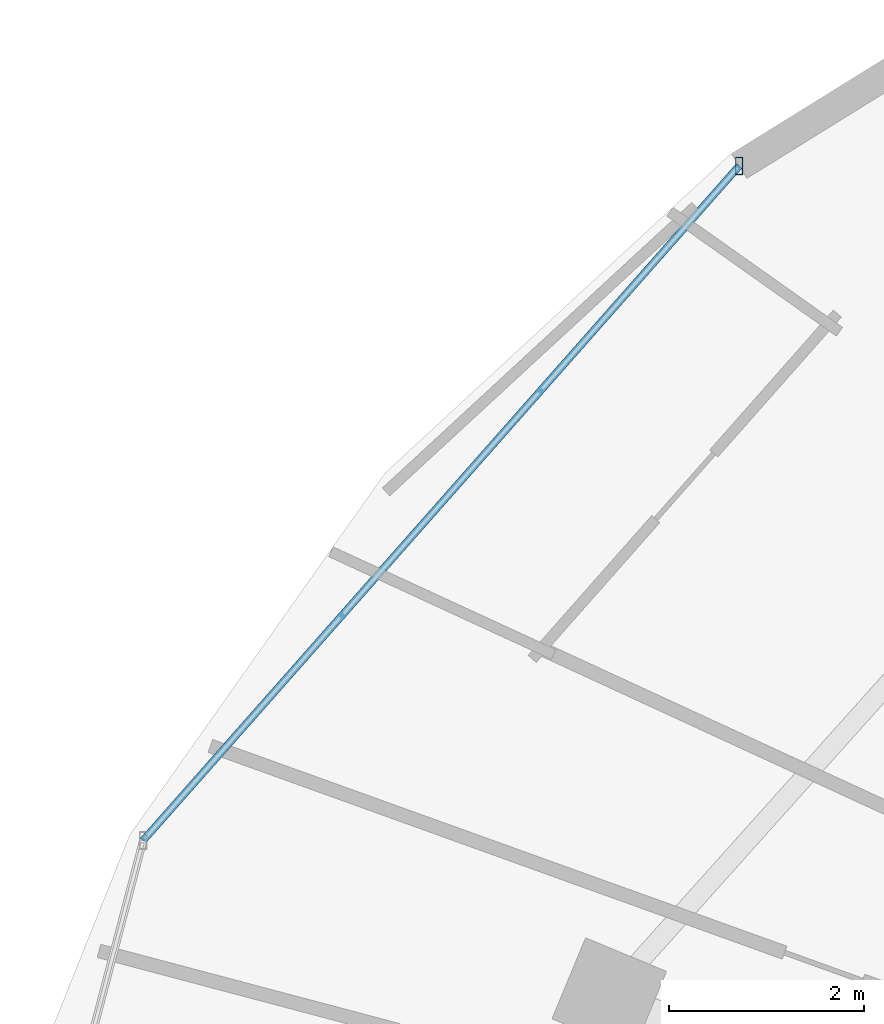
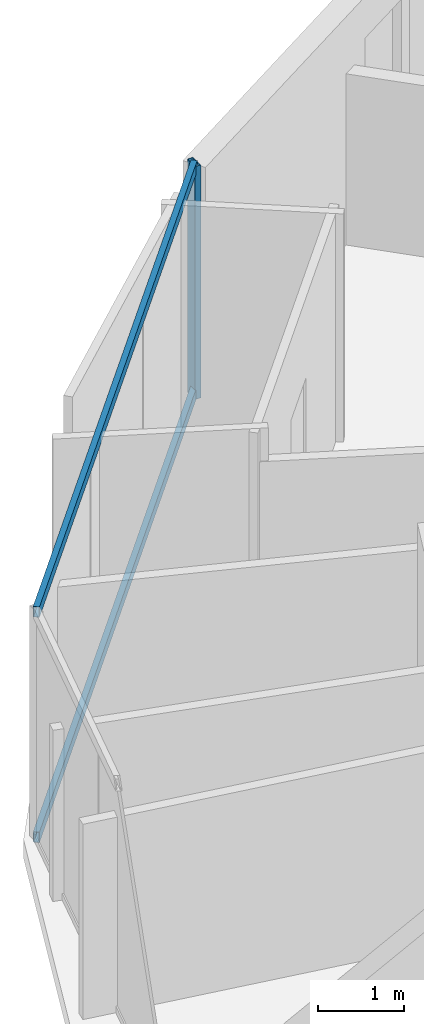
# One storey, part 16 of 33: 3 members, 1 element without a shape of its own.
"""IFC4 building model written with IfcOpenShell, lengths in metres."""

from ifc_helpers import new_model, si_unit, direction, frame, origin, origin_2d, place, context, subcontext, project, spatial, hollow_rectangle, extrude, material, material_profile, profile_set, type_object, element, aggregate, save


model = new_model("IFC4")

# Units and contexts
model_context = context("Model", 3, precision=1e-05, world=origin(), true_north=direction((0.0, 1.0)))
body_context = subcontext(model_context, "Body", "Model", "MODEL_VIEW")
ifc_project = project(units=[si_unit("LENGTHUNIT", "METRE"), si_unit("AREAUNIT", "SQUARE_METRE"), si_unit("VOLUMEUNIT", "CUBIC_METRE"), si_unit("PLANEANGLEUNIT", "RADIAN"), si_unit("MASSUNIT", "GRAM", prefix="KILO")], contexts=[model_context])

# Site, building, storey
site_placement = place(None, origin())
site = spatial("IfcSite", under=ifc_project, at=site_placement, CompositionType="ELEMENT")
building_placement = place(site_placement, origin())
building = spatial("IfcBuilding", under=site, at=building_placement, Name="Vorneva Point Tower", CompositionType="ELEMENT")
storey_placement = place(building_placement, frame((0.0, 0.0, 179.10009765625)))
storey = spatial("IfcBuildingStorey", under=building, at=storey_placement, Name="L48", CompositionType="ELEMENT", Elevation=179.10009765625)

# Curtain wall, members
ifc_material = material(Name="Pale anodised aluminium", Category="aluminium")
curtain_wall_type = type_object("IfcCurtainWallType", Name="CW-RES-SYS", PredefinedType="NOTDEFINED", material=ifc_material)
curtain_wall_placement = place(storey_placement, origin())
curtain_wall = element("IfcCurtainWall", 1, at=curtain_wall_placement, inside=storey, type_object=curtain_wall_type, Name="L48 Unitised Curtain Wall CW-L48-R02", PredefinedType="NOTDEFINED")
ifc_material_profile_1 = material_profile(ifc_material, hollow_rectangle(XDim=0.074951171875, YDim=0.179931640625, WallThickness=0.00390625, at=origin_2d()), Name="AL-MUL 180x75x4")
ifc_profile_set_1 = profile_set([ifc_material_profile_1], Name="Pale anodised aluminium")
member_type_1 = type_object("IfcMemberType", Name="CW-MUL-180", PredefinedType="MULLION", material=ifc_profile_set_1)
member_1_placement = place(storey_placement, frame((18.038330078125, 41.0966796875, -0.0400390625), z_axis=(0.0, 0.0, 1.0), x_axis=(1.0, 0.0, 0.0)))
member_1 = element("IfcMember", 2, at=member_1_placement, type_object=member_type_1, Name="CW-L48-R02 Mullion 01", PredefinedType="MULLION", context=body_context, shape_type="SweptSolid", body=[
    extrude(hollow_rectangle(XDim=0.074951171875, YDim=0.179931640625, WallThickness=0.00390625, at=origin_2d()), origin(), (0.0, 0.0, 1.0), 3.31005859375),
])
ifc_material_profile_2 = material_profile(ifc_material, hollow_rectangle(XDim=0.074951171875, YDim=0.14990234375, WallThickness=0.00390625, at=origin_2d()), Name="AL-TRN 150x75x4")
ifc_profile_set_2 = profile_set([ifc_material_profile_2], Name="Pale anodised aluminium")
member_type_2 = type_object("IfcMemberType", Name="CW-TRN-150", PredefinedType="USERDEFINED", material=ifc_profile_set_2)
member_2_placement = place(storey_placement, frame((18.038330078125, 41.0966796875, 0.02001953125), z_axis=(-0.662106383869, -0.749409858782, 0.0), x_axis=(0.749409858782, -0.662106383869, 0.0)))
member_2 = element("IfcMember", 3, at=member_2_placement, type_object=member_type_2, Name="CW-L48-R02 Transom 01.1", ObjectType="TRANSOM", PredefinedType="USERDEFINED", context=body_context, shape_type="SweptSolid", body=[
    extrude(hollow_rectangle(XDim=0.074951171875, YDim=0.14990234375, WallThickness=0.00390625, at=origin_2d()), origin(), (0.0, 0.0, 1.0), 9.2421875),
])
member_3_placement = place(storey_placement, frame((18.038330078125, 41.0966796875, 3.219970703125), z_axis=(-0.662106383869, -0.749409858782, 0.0), x_axis=(0.749409858782, -0.662106383869, 0.0)))
member_3 = element("IfcMember", 4, at=member_3_placement, type_object=member_type_2, Name="CW-L48-R02 Transom 01.2", ObjectType="TRANSOM", PredefinedType="USERDEFINED", context=body_context, shape_type="SweptSolid", body=[
    extrude(hollow_rectangle(XDim=0.074951171875, YDim=0.14990234375, WallThickness=0.00390625, at=origin_2d()), origin(), (0.0, 0.0, 1.0), 9.2421875),
])
aggregate(curtain_wall, [member_1, member_2, member_3])

save(model, "model.ifc")
